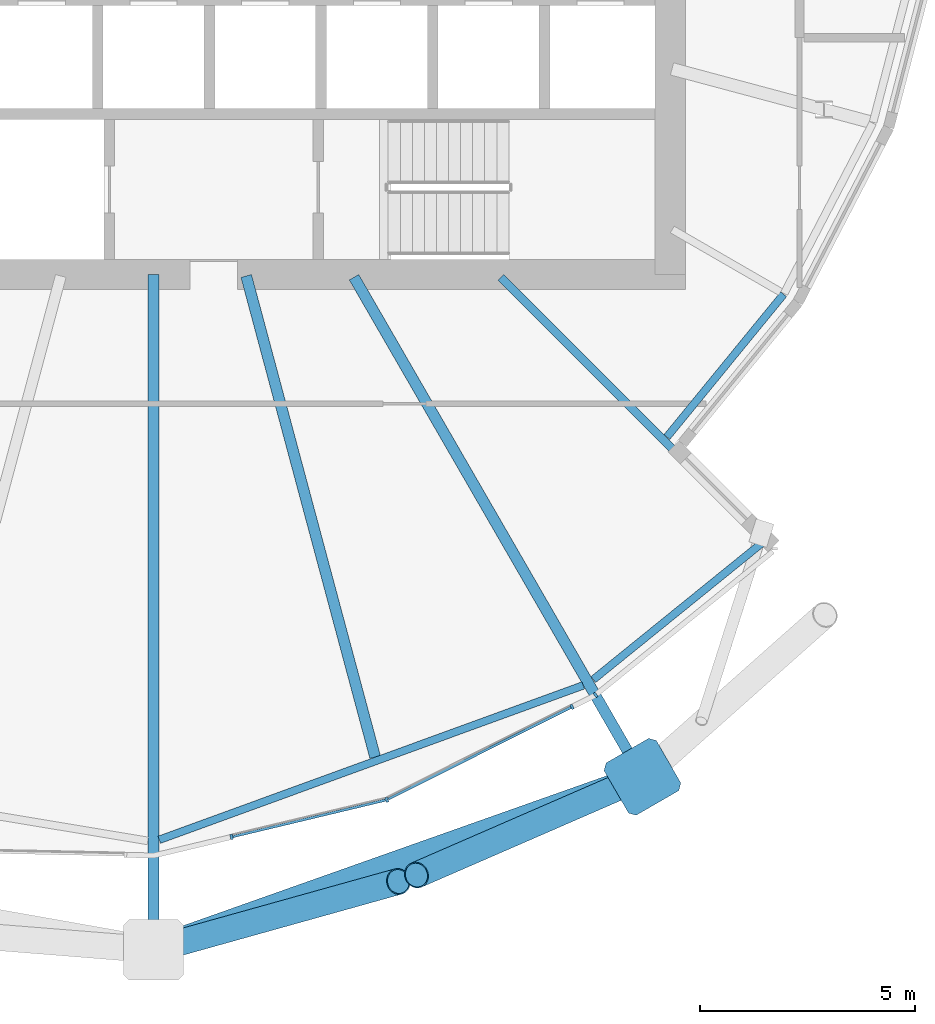
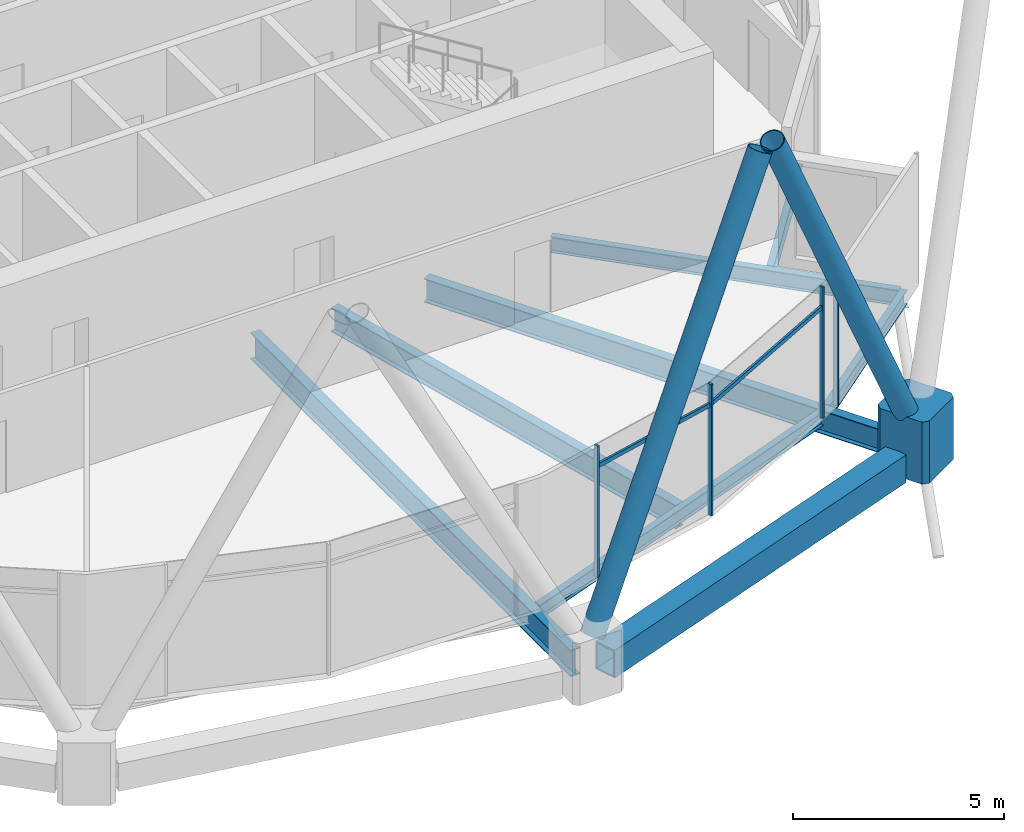
# One storey, part 14 of 35: 9 members, 8 beams, 1 element without a shape of its own.
"""IFC4 building model written with IfcOpenShell, lengths in metres."""

from ifc_helpers import new_model, si_unit, direction, frame, origin, origin_2d, place, context, subcontext, project, spatial, polyline, rectangle, hollow_rectangle, hollow_circle, i_section, outline, extrude, material, material_profile, profile_set, type_object, element, aggregate, save


model = new_model("IFC4")

# Units and contexts
model_context = context("Model", 3, precision=1e-05, world=origin(), true_north=direction((0.0, 1.0)))
body_context = subcontext(model_context, "Body", "Model", "MODEL_VIEW")
ifc_project = project(units=[si_unit("LENGTHUNIT", "METRE"), si_unit("AREAUNIT", "SQUARE_METRE"), si_unit("VOLUMEUNIT", "CUBIC_METRE"), si_unit("PLANEANGLEUNIT", "RADIAN"), si_unit("MASSUNIT", "GRAM", prefix="KILO")], contexts=[model_context])

# Site, building, storey
site_placement = place(None, origin())
site = spatial("IfcSite", under=ifc_project, at=site_placement, CompositionType="ELEMENT")
building_placement = place(site_placement, origin())
building = spatial("IfcBuilding", under=site, at=building_placement, Name="Rimbun Link Towers", CompositionType="ELEMENT")
storey_placement = place(building_placement, frame((0.0, 0.0, 146.800048828125)))
storey = spatial("IfcBuildingStorey", under=building, at=storey_placement, Name="L35", CompositionType="ELEMENT", Elevation=146.800048828125)

# Curtain wall, members
ifc_material_1 = material(Name="Aluminium 6063-T6 and low-iron glass", Category="aluminium")
curtain_wall_type = type_object("IfcCurtainWallType", Name="CW4 link block wall", PredefinedType="NOTDEFINED", material=ifc_material_1)
curtain_wall_placement = place(storey_placement, origin())
curtain_wall = element("IfcCurtainWall", 1, at=curtain_wall_placement, inside=storey, type_object=curtain_wall_type, Name="CW4 L35 T2", PredefinedType="NOTDEFINED")
ifc_material_2 = material(Name="Aluminium 6063-T6", Category="aluminium")
ifc_material_profile_1 = material_profile(ifc_material_2, rectangle(XDim=0.1201171875, YDim=0.06005859375, at=origin_2d()), Name="MULLION 60X120")
ifc_profile_set_1 = profile_set([ifc_material_profile_1], Name="Aluminium 6063-T6")
member_type_1 = type_object("IfcMemberType", Name="CW4 mullion 60X120", PredefinedType="MULLION", material=ifc_profile_set_1)
member_1_placement = place(storey_placement, frame((37.167236328125, -20.197021484375, 0.0), z_axis=(0.0, 0.0, 1.0), x_axis=(0.342963066451, -0.939348888886, 0.0)))
member_1 = element("IfcMember", 2, at=member_1_placement, type_object=member_type_1, Name="CW4 mullion", PredefinedType="MULLION", context=body_context, shape_type="SweptSolid", body=[
    extrude(rectangle(XDim=0.1201171875, YDim=0.06005859375, at=origin_2d()), origin(), (0.0, 0.0, 1.0), 3.800048828125),
])
member_2_placement = place(storey_placement, frame((33.563232421875, -21.059326171875, 0.0), z_axis=(0.0, 0.0, 1.0), x_axis=(0.232587665973, -0.972575435448, 0.0)))
member_2 = element("IfcMember", 3, at=member_2_placement, type_object=member_type_1, Name="CW4 mullion", PredefinedType="MULLION", context=body_context, shape_type="SweptSolid", body=[
    extrude(rectangle(XDim=0.1201171875, YDim=0.06005859375, at=origin_2d()), origin(), (0.0, 0.0, 1.0), 3.800048828125),
])
member_3_placement = place(storey_placement, frame((41.46826171875, -18.03759765625, 0.0), z_axis=(0.0, 0.0, 1.0), x_axis=(0.448781608432, -0.893641464981, 0.0)))
member_3 = element("IfcMember", 4, at=member_3_placement, type_object=member_type_1, Name="CW4 mullion", PredefinedType="MULLION", context=body_context, shape_type="SweptSolid", body=[
    extrude(rectangle(XDim=0.1201171875, YDim=0.06005859375, at=origin_2d()), origin(), (0.0, 0.0, 1.0), 3.800048828125),
])
member_4_placement = place(storey_placement, frame((42.01513671875, -17.76123046875, 0.0), z_axis=(0.0, 0.0, 1.0), x_axis=(0.629158779809, -0.777276803841, 0.0)))
member_4 = element("IfcMember", 5, at=member_4_placement, type_object=member_type_1, Name="CW4 mullion", PredefinedType="MULLION", context=body_context, shape_type="SweptSolid", body=[
    extrude(rectangle(XDim=0.1201171875, YDim=0.06005859375, at=origin_2d()), origin(), (0.0, 0.0, 1.0), 3.800048828125),
])
ifc_material_3 = material(Name="Aluminium 6063-T6", Category="aluminium")
ifc_material_profile_2 = material_profile(ifc_material_3, rectangle(XDim=0.06005859375, YDim=0.1201171875, at=origin_2d()), Name="TRANSOM 60X120")
ifc_profile_set_2 = profile_set([ifc_material_profile_2], Name="Aluminium 6063-T6")
member_type_2 = type_object("IfcMemberType", Name="CW4 transom 60X120", PredefinedType="USERDEFINED", material=ifc_profile_set_2)
member_5_placement = place(storey_placement, frame((37.131103515625, -20.2041015625, 3.199951171875), z_axis=(-0.972585489627, -0.232545619967, 0.0), x_axis=(0.232545619967, -0.972585489627, 0.0)))
member_5 = element("IfcMember", 6, at=member_5_placement, type_object=member_type_2, Name="CW4 transom", ObjectType="TRANSOM", PredefinedType="USERDEFINED", context=body_context, shape_type="SweptSolid", body=[
    extrude(rectangle(XDim=0.06005859375, YDim=0.1201171875, at=origin_2d()), origin(), (0.0, 0.0, 1.0), 3.638916015625),
])
member_6_placement = place(storey_placement, frame((41.4404296875, -18.049072265625, 3.199951171875), z_axis=(-0.893633550107, -0.448797368668, 0.0), x_axis=(0.448797368668, -0.893633550107, 0.0)))
member_6 = element("IfcMember", 7, at=member_6_placement, type_object=member_type_2, Name="CW4 transom", ObjectType="TRANSOM", PredefinedType="USERDEFINED", context=body_context, shape_type="SweptSolid", body=[
    extrude(rectangle(XDim=0.06005859375, YDim=0.1201171875, at=origin_2d()), origin(), (0.0, 0.0, 1.0), 4.745849609375),
])
aggregate(curtain_wall, [member_1, member_2, member_3, member_4, member_5, member_6])

# Members
ifc_material_4 = material(Name="Steel S355J2H", Category="steel")
ifc_material_profile_3 = material_profile(ifc_material_4, hollow_circle(Radius=0.3046875, WallThickness=0.02490234375, at=origin_2d()), Name="Diagrid diagonal CHS 610x25")
ifc_profile_set_3 = profile_set([ifc_material_profile_3], Name="Steel S355J2H")
member_type_3 = type_object("IfcMemberType", Name="Diagrid diagonal CHS 610x25", PredefinedType="BRACE", material=ifc_profile_set_3)
member_7_placement = place(storey_placement, frame((31.967529296875, -23.620361328125, 0.446044921875), z_axis=(0.435251369799, 0.121506621517, 0.892071962353), x_axis=(-0.268883393148, 0.963172736787, 0.0)))
element("IfcMember", 8, at=member_7_placement, inside=storey, type_object=member_type_3, Name="Diagrid diagonal T2 L35-L38 15b", PredefinedType="BRACE", context=body_context, shape_type="SweptSolid", body=[
    extrude(hollow_circle(Radius=0.3046875, WallThickness=0.02490234375, at=origin_2d()), origin(), (0.0, 0.0, 1.0), 12.56396484375),
])
member_8_placement = place(storey_placement, frame((42.900390625, -19.7509765625, 0.44873046875), z_axis=(-0.404213171371, -0.175805244694, 0.89761028739), x_axis=(0.398841326431, -0.917019954162, 0.0)))
element("IfcMember", 9, at=member_8_placement, inside=storey, type_object=member_type_3, Name="Diagrid diagonal T2 L35-L38 17a", PredefinedType="BRACE", context=body_context, shape_type="SweptSolid", body=[
    extrude(hollow_circle(Radius=0.3046875, WallThickness=0.02490234375, at=origin_2d()), origin(), (0.0, 0.0, 1.0), 12.480224609375),
])
ifc_material_5 = material(Name="Cast steel G20Mn5+QT, Rp0.2 300 MPa", Category="steel")
ifc_material_profile_4 = material_profile(ifc_material_5, outline(polyline([(0.699951171875, -0.570068359375), (0.699951171875, 0.570068359375), (0.570068359375, 0.699951171875), (-0.570068359375, 0.699951171875), (-0.699951171875, 0.570068359375), (-0.699951171875, -0.570068359375), (-0.570068359375, -0.699951171875), (0.570068359375, -0.699951171875), (0.699951171875, -0.570068359375)])), Name="NODE 1400x1400")
ifc_profile_set_4 = profile_set([ifc_material_profile_4], Name="Cast steel G20Mn5+QT, Rp0.2 300 MPa")
member_type_4 = type_object("IfcMemberType", Name="Diagrid node cast 1400", PredefinedType="USERDEFINED", material=ifc_profile_set_4)
member_9_placement = place(storey_placement, frame((43.1025390625, -19.6630859375, -0.900146484375), z_axis=(0.0, 0.0, 1.0), x_axis=(0.5, -0.866025403784, 0.0)))
element("IfcMember", 10, at=member_9_placement, inside=storey, type_object=member_type_4, Name="Diagrid node L35 17", ObjectType="Diagrid node", PredefinedType="USERDEFINED", context=body_context, shape_type="SweptSolid", body=[
    extrude(outline(polyline([(0.699951171875, -0.570068359375), (0.699951171875, 0.570068359375), (0.570068359375, 0.699951171875), (-0.570068359375, 0.699951171875), (-0.699951171875, 0.570068359375), (-0.699951171875, -0.570068359375), (-0.570068359375, -0.699951171875), (0.570068359375, -0.699951171875), (0.699951171875, -0.570068359375)])), origin(), (0.0, 0.0, 1.0), 1.800048828125),
])

# Beams
ifc_material_6 = material(Name="Steel S355J2", Category="steel")
ifc_material_profile_5 = material_profile(ifc_material_6, hollow_rectangle(XDim=0.60009765625, YDim=0.800048828125, WallThickness=0.0400390625, at=origin_2d()), Name="Exoskeleton ring girder BOX 600x800x40")
ifc_profile_set_5 = profile_set([ifc_material_profile_5], Name="Steel S355J2")
beam_type_1 = type_object("IfcBeamType", Name="Exoskeleton ring girder BOX 600x800x40", PredefinedType="BEAM", material=ifc_profile_set_5)
beam_1_placement = place(storey_placement, frame((32.409912109375, -23.447509765625, -0.56005859375), z_axis=(0.942700295924, 0.333640753003, 0.0), x_axis=(-0.333640753003, 0.942700295924, 0.0)))
element("IfcBeam", 11, at=beam_1_placement, inside=storey, type_object=beam_type_1, Name="Exoskeleton ring girder L35 07", PredefinedType="BEAM", context=body_context, shape_type="SweptSolid", body=[
    extrude(hollow_rectangle(XDim=0.60009765625, YDim=0.800048828125, WallThickness=0.0400390625, at=origin_2d()), origin(), (0.0, 0.0, 1.0), 10.642578125),
])
ifc_material_7 = material(Name="Steel S355J2", Category="steel")
ifc_material_profile_6 = material_profile(ifc_material_7, i_section(OverallWidth=0.177978515625, OverallDepth=0.406494140625, WebThickness=0.0078125, FlangeThickness=0.0126953125, at=origin_2d()), Name="UB 406x178x60")
ifc_profile_set_6 = profile_set([ifc_material_profile_6], Name="Steel S355J2")
beam_type_2 = type_object("IfcBeamType", Name="UB 406x178x60", PredefinedType="BEAM", material=ifc_profile_set_6)
beam_2_placement = place(storey_placement, frame((31.88427734375, -21.125244140625, -0.38330078125), z_axis=(0.9396232207, 0.342210758337, 0.0), x_axis=(-0.342210758337, 0.9396232207, 0.0)))
element("IfcBeam", 12, at=beam_2_placement, inside=storey, type_object=beam_type_2, Name="Edge beam T2 L35 15-17", PredefinedType="BEAM", context=body_context, shape_type="SweptSolid", body=[
    extrude(i_section(OverallWidth=0.177978515625, OverallDepth=0.406494140625, WebThickness=0.0078125, FlangeThickness=0.0126953125, at=origin_2d()), origin(), (0.0, 0.0, 1.0), 10.477294921875),
])
beam_3_placement = place(storey_placement, frame((41.96240234375, -17.405029296875, -0.38330078125), z_axis=(0.777297129694, 0.629133667967, 0.0), x_axis=(-0.629133667967, 0.777297129694, 0.0)))
element("IfcBeam", 13, at=beam_3_placement, inside=storey, type_object=beam_type_2, Name="Edge beam T2 L35 17", PredefinedType="BEAM", context=body_context, shape_type="SweptSolid", body=[
    extrude(i_section(OverallWidth=0.177978515625, OverallDepth=0.406494140625, WebThickness=0.0078125, FlangeThickness=0.0126953125, at=origin_2d()), origin(), (0.0, 0.0, 1.0), 5.113037109375),
])
beam_4_placement = place(storey_placement, frame((43.6708984375, -11.772705078125, -0.38330078125), z_axis=(0.633032798908, 0.774124974088, 0.0), x_axis=(-0.774124974088, 0.633032798908, 0.0)))
element("IfcBeam", 14, at=beam_4_placement, inside=storey, type_object=beam_type_2, Name="Edge beam T2 L35 18 recess", PredefinedType="BEAM", context=body_context, shape_type="SweptSolid", body=[
    extrude(i_section(OverallWidth=0.177978515625, OverallDepth=0.406494140625, WebThickness=0.0078125, FlangeThickness=0.0126953125, at=origin_2d()), origin(), (0.0, 0.0, 1.0), 4.281005859375),
])
ifc_material_8 = material(Name="Steel S355J2", Category="steel")
ifc_material_profile_7 = material_profile(ifc_material_8, i_section(OverallWidth=0.18994140625, OverallDepth=0.453369140625, WebThickness=0.008544921875, FlangeThickness=0.0126953125, at=origin_2d()), Name="UB 457x191x67")
ifc_profile_set_7 = profile_set([ifc_material_profile_7], Name="Steel S355J2")
beam_type_3 = type_object("IfcBeamType", Name="UB 457x191x67", PredefinedType="BEAM", material=ifc_profile_set_7)
beam_5_placement = place(storey_placement, frame((39.81787109375, -8.06787109375, -0.40673828125), z_axis=(0.707106781187, -0.707106781187, 0.0), x_axis=(0.707106781187, 0.707106781187, 0.0)))
element("IfcBeam", 15, at=beam_5_placement, inside=storey, type_object=beam_type_3, Name="Radial beam T2 L35 18", PredefinedType="BEAM", context=body_context, shape_type="SweptSolid", body=[
    extrude(i_section(OverallWidth=0.18994140625, OverallDepth=0.453369140625, WebThickness=0.008544921875, FlangeThickness=0.0126953125, at=origin_2d()), origin(), (0.0, 0.0, 1.0), 8.56396484375),
])
ifc_material_9 = material(Name="Steel S355J2", Category="steel")
ifc_material_profile_8 = material_profile(ifc_material_9, i_section(OverallWidth=0.253662109375, OverallDepth=0.68359375, WebThickness=0.012451171875, FlangeThickness=0.01904296875, at=origin_2d()), Name="UB 686x254x140")
ifc_profile_set_8 = profile_set([ifc_material_profile_8], Name="Steel S355J2")
beam_type_4 = type_object("IfcBeamType", Name="UB 686x254x140", PredefinedType="BEAM", material=ifc_profile_set_8)
beam_6_placement = place(storey_placement, frame((33.902587890625, -8.03369140625, -0.521728515625), z_axis=(0.25881874375, -0.965925907036, 0.0), x_axis=(0.965925907036, 0.25881874375, 0.0)))
element("IfcBeam", 16, at=beam_6_placement, inside=storey, type_object=beam_type_4, Name="Radial beam T2 L35 16", PredefinedType="BEAM", context=body_context, shape_type="SweptSolid", body=[
    extrude(i_section(OverallWidth=0.253662109375, OverallDepth=0.68359375, WebThickness=0.012451171875, FlangeThickness=0.01904296875, at=origin_2d()), origin(), (0.0, 0.0, 1.0), 11.564697265625),
])
beam_7_placement = place(storey_placement, frame((36.406005859375, -8.064208984375, -0.521728515625), z_axis=(0.49999837302, -0.86602634312, 0.0), x_axis=(0.86602634312, 0.49999837302, 0.0)))
element("IfcBeam", 17, at=beam_7_placement, inside=storey, type_object=beam_type_4, Name="Radial beam T2 L35 17", PredefinedType="BEAM", context=body_context, shape_type="SweptSolid", body=[
    extrude(i_section(OverallWidth=0.253662109375, OverallDepth=0.68359375, WebThickness=0.012451171875, FlangeThickness=0.01904296875, at=origin_2d()), origin(), (0.0, 0.0, 1.0), 12.89306640625),
])
ifc_material_10 = material(Name="Steel S355J2", Category="steel")
ifc_material_profile_9 = material_profile(ifc_material_10, i_section(OverallWidth=0.2666015625, OverallDepth=0.76220703125, WebThickness=0.014404296875, FlangeThickness=0.021484375, at=origin_2d()), Name="UB 762x267x173")
ifc_profile_set_9 = profile_set([ifc_material_profile_9], Name="Steel S355J2")
beam_type_5 = type_object("IfcBeamType", Name="UB 762x267x173", PredefinedType="BEAM", material=ifc_profile_set_9)
beam_8_placement = place(storey_placement, frame((31.75, -8.0009765625, -0.56103515625), z_axis=(0.0, -1.0, 0.0), x_axis=(1.0, 0.0, 0.0)))
element("IfcBeam", 18, at=beam_8_placement, inside=storey, type_object=beam_type_5, Name="Radial beam T2 L35 15", PredefinedType="BEAM", context=body_context, shape_type="SweptSolid", body=[
    extrude(i_section(OverallWidth=0.2666015625, OverallDepth=0.76220703125, WebThickness=0.014404296875, FlangeThickness=0.021484375, at=origin_2d()), origin(), (0.0, 0.0, 1.0), 15.18017578125),
])

save(model, "model.ifc")
